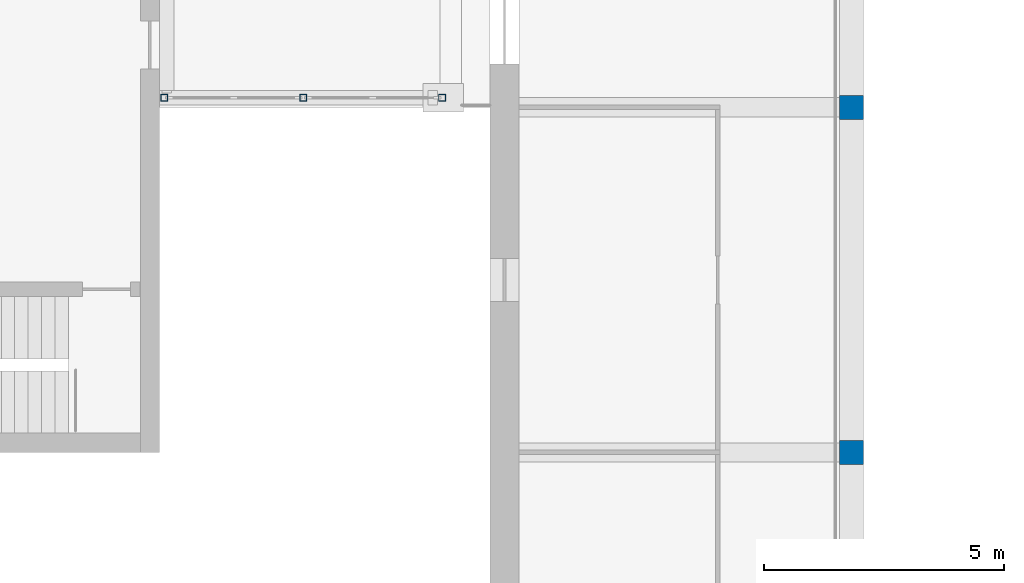
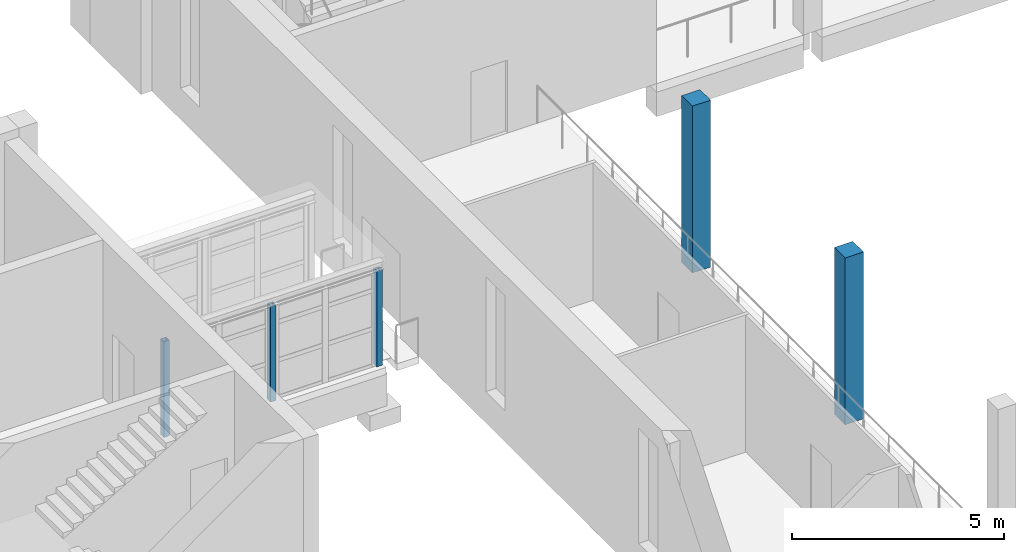
# One storey, part 13 of 131: 5 columns.
"""IFC4 building model written with IfcOpenShell, lengths in metres."""

from ifc_helpers import new_model, si_unit, direction, frame, origin, origin_2d, place, context, subcontext, project, spatial, rectangle, hollow_rectangle, extrude, material, material_profile, profile_set, type_object, element, save


model = new_model("IFC4")

# Units and contexts
model_context = context("Model", 3, precision=1e-05, world=origin(), true_north=direction((0.0, 1.0)))
body_context = subcontext(model_context, "Body", "Model", "MODEL_VIEW")
ifc_project = project(units=[si_unit("LENGTHUNIT", "METRE"), si_unit("AREAUNIT", "SQUARE_METRE"), si_unit("VOLUMEUNIT", "CUBIC_METRE"), si_unit("PLANEANGLEUNIT", "RADIAN"), si_unit("MASSUNIT", "GRAM", prefix="KILO")], contexts=[model_context])

# Site, building, storey
site_placement = place(None, origin())
site = spatial("IfcSite", under=ifc_project, at=site_placement, CompositionType="ELEMENT")
building_placement = place(site_placement, origin())
building = spatial("IfcBuilding", under=site, at=building_placement, Name="Alderwick Market Hall", CompositionType="ELEMENT")
storey_placement = place(building_placement, frame((0.0, 0.0, 4.800048828125)))
storey = spatial("IfcBuildingStorey", under=building, at=storey_placement, Name="L00", CompositionType="ELEMENT", Elevation=4.800048828125)

# Columns
ifc_material_1 = material(Name="Concrete 5000 psi (f'c 35 MPa)", Category="concrete")
ifc_material_profile_1 = material_profile(ifc_material_1, rectangle(XDim=0.5, YDim=0.5, at=origin_2d()), Name="RC 500x500")
ifc_profile_set_1 = profile_set([ifc_material_profile_1], Name="Concrete 5000 psi (f'c 35 MPa)")
column_type_1 = type_object("IfcColumnType", Name="H Column 500x500", PredefinedType="COLUMN", material=ifc_profile_set_1)
for number, where, z_axis, x_axis, name in (
    (1, (57.639892578125, 86.39990234375, 0.0), (0.0, 0.0, 1.0), (1.0, 0.0, 0.0), "Gallery column W26"),
    (2, (57.639892578125, 93.60009765625, 0.0), (0.0, 0.0, 1.0), (1.0, 0.0, 0.0), "Gallery column W27"),
):
    element("IfcColumn", number, at=place(storey_placement, frame(where, z_axis=z_axis, x_axis=x_axis)), inside=storey, type_object=column_type_1, Name=name, PredefinedType="COLUMN", context=body_context, shape_type="SweptSolid", body=[
        extrude(rectangle(XDim=0.5, YDim=0.5, at=origin_2d()), origin(), (0.0, 0.0, 1.0), 4.800048828125),
    ])
ifc_material_2 = material(Name="Steel ASTM A500 Grade C", Category="steel")
ifc_material_profile_2 = material_profile(ifc_material_2, hollow_rectangle(XDim=0.152099609375, YDim=0.152099609375, WallThickness=0.009521484375, at=origin_2d()), Name="HSS152x152x9.5")
ifc_profile_set_2 = profile_set([ifc_material_profile_2], Name="Steel ASTM A500 Grade C")
column_type_2 = type_object("IfcColumnType", Name="P HSS Column 152x152x9.5", PredefinedType="COLUMN", material=ifc_profile_set_2)
for number, where, z_axis, x_axis, name in (
    (3, (43.300048828125, 93.800048828125, 0.0), (0.0, 0.0, 1.0), (1.0, 0.0, 0.0), "P.P5.col.a0"),
    (4, (46.199951171875, 93.800048828125, 0.0), (0.0, 0.0, 1.0), (1.0, 0.0, 0.0), "P.P5.col.a1"),
    (5, (49.10009765625, 93.800048828125, 0.0), (0.0, 0.0, 1.0), (1.0, 0.0, 0.0), "P.P5.col.a2"),
):
    element("IfcColumn", number, at=place(storey_placement, frame(where, z_axis=z_axis, x_axis=x_axis)), inside=storey, type_object=column_type_2, Name=name, PredefinedType="COLUMN", context=body_context, shape_type="SweptSolid", body=[
        extrude(hollow_rectangle(XDim=0.152099609375, YDim=0.152099609375, WallThickness=0.009521484375, at=origin_2d()), origin(), (0.0, 0.0, 1.0), 2.7529296875),
    ])

save(model, "model.ifc")
